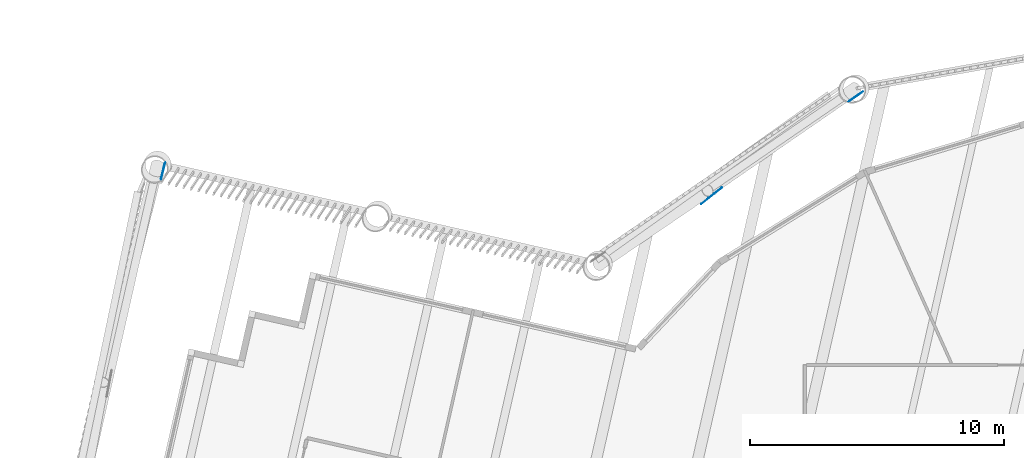
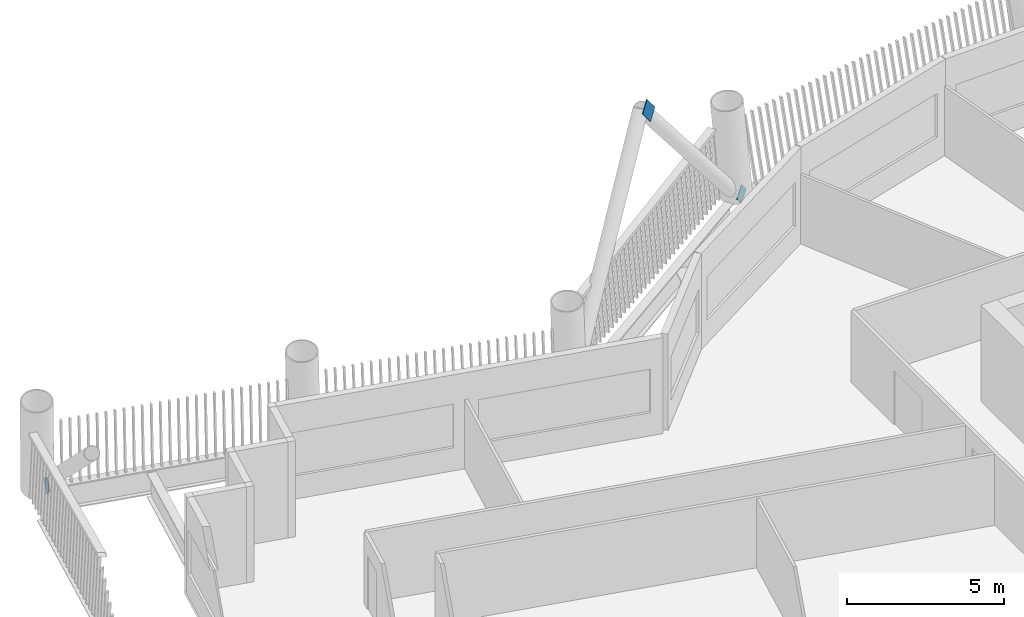
# One storey, part 11 of 23: 3 discrete accessories.
"""IFC4 building model written with IfcOpenShell, lengths in metres."""

from ifc_helpers import new_model, si_unit, direction, frame, origin, origin_2d, place, context, subcontext, project, spatial, rectangle, extrude, material, material_profile, profile_set, type_object, element, save


model = new_model("IFC4")

# Units and contexts
model_context = context("Model", 3, precision=1e-05, world=origin(), true_north=direction((0.0, 1.0)))
body_context = subcontext(model_context, "Body", "Model", "MODEL_VIEW")
ifc_project = project(units=[si_unit("LENGTHUNIT", "METRE"), si_unit("AREAUNIT", "SQUARE_METRE"), si_unit("VOLUMEUNIT", "CUBIC_METRE"), si_unit("PLANEANGLEUNIT", "RADIAN"), si_unit("MASSUNIT", "GRAM", prefix="KILO")], contexts=[model_context])

# Site, building, storey
site_placement = place(None, origin())
site = spatial("IfcSite", under=ifc_project, at=site_placement, CompositionType="ELEMENT")
building_placement = place(site_placement, origin())
building = spatial("IfcBuilding", under=site, at=building_placement, Name="Tarsis Ring Headquarters", CompositionType="ELEMENT")
storey_placement = place(building_placement, frame((0.0, 0.0, 231.60009765625)))
storey = spatial("IfcBuildingStorey", under=building, at=storey_placement, Name="L54", CompositionType="ELEMENT", Elevation=231.60009765625)

# Discrete accessories
ifc_material = material(Name="Structural steel S355", Category="steel")
ifc_material_profile = material_profile(ifc_material, rectangle(XDim=0.02490234375, YDim=0.5, at=origin_2d()), Name="PL 25x500")
ifc_profile_set = profile_set([ifc_material_profile], Name="Structural steel S355")
discrete_accessory_type = type_object("IfcDiscreteAccessoryType", Name="Gusset plate Exo brace 25", PredefinedType="BRACKET", material=ifc_profile_set)
discrete_accessory_1_placement = place(storey_placement, frame((-10.856201171875, 26.662841796875, 0.0), z_axis=(-0.553380870468, -0.381456716536, 0.740446072047), x_axis=(0.567546144554, -0.823341589987, 0.0)))
element("IfcDiscreteAccessory", 1, at=discrete_accessory_1_placement, inside=storey, type_object=discrete_accessory_type, Name="Gusset plate GP5", PredefinedType="BRACKET", context=body_context, shape_type="SweptSolid", body=[
    extrude(rectangle(XDim=0.02490234375, YDim=0.5, at=origin_2d()), origin(), (0.0, 0.0, 1.0), 0.499755859375),
])
discrete_accessory_2_placement = place(storey_placement, frame((-16.40478515625, 22.865966796875, 7.429931640625), z_axis=(-0.528826623797, -0.416029809303, 0.739771315837), x_axis=(0.618302188594, -0.785940458037, 0.0)))
element("IfcDiscreteAccessory", 2, at=discrete_accessory_2_placement, inside=storey, type_object=discrete_accessory_type, Name="Gusset plate GP5", PredefinedType="BRACKET", context=body_context, shape_type="SweptSolid", body=[
    extrude(rectangle(XDim=0.02490234375, YDim=0.5, at=origin_2d()), origin(), (0.0, 0.0, 1.0), 1.0),
])
discrete_accessory_3_placement = place(storey_placement, frame((-38.2158203125, 23.822265625, 0.0), z_axis=(-0.184060727045, -0.726966638117, 0.661544522934), x_axis=(0.969410492176, -0.245445101108, 0.0)))
element("IfcDiscreteAccessory", 3, at=discrete_accessory_3_placement, inside=storey, type_object=discrete_accessory_type, Name="Gusset plate GP5", PredefinedType="BRACKET", context=body_context, shape_type="SweptSolid", body=[
    extrude(rectangle(XDim=0.02490234375, YDim=0.5, at=origin_2d()), origin(), (0.0, 0.0, 1.0), 0.5),
])

save(model, "model.ifc")
